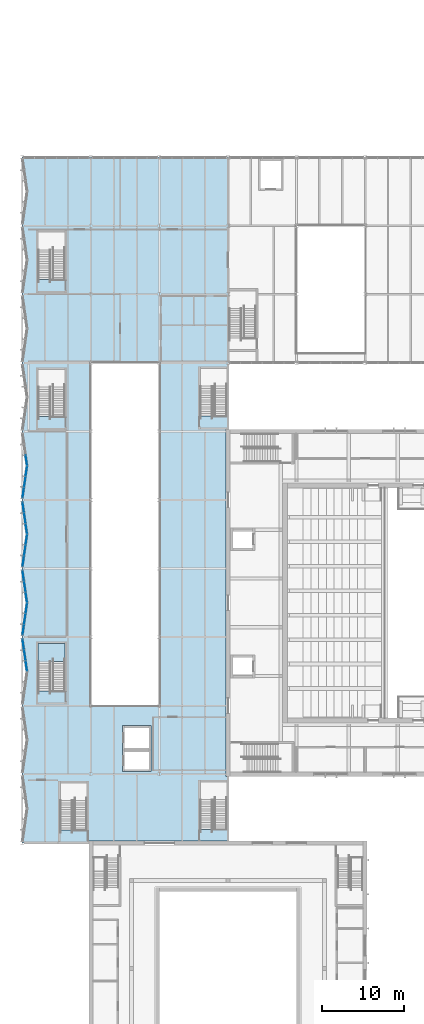
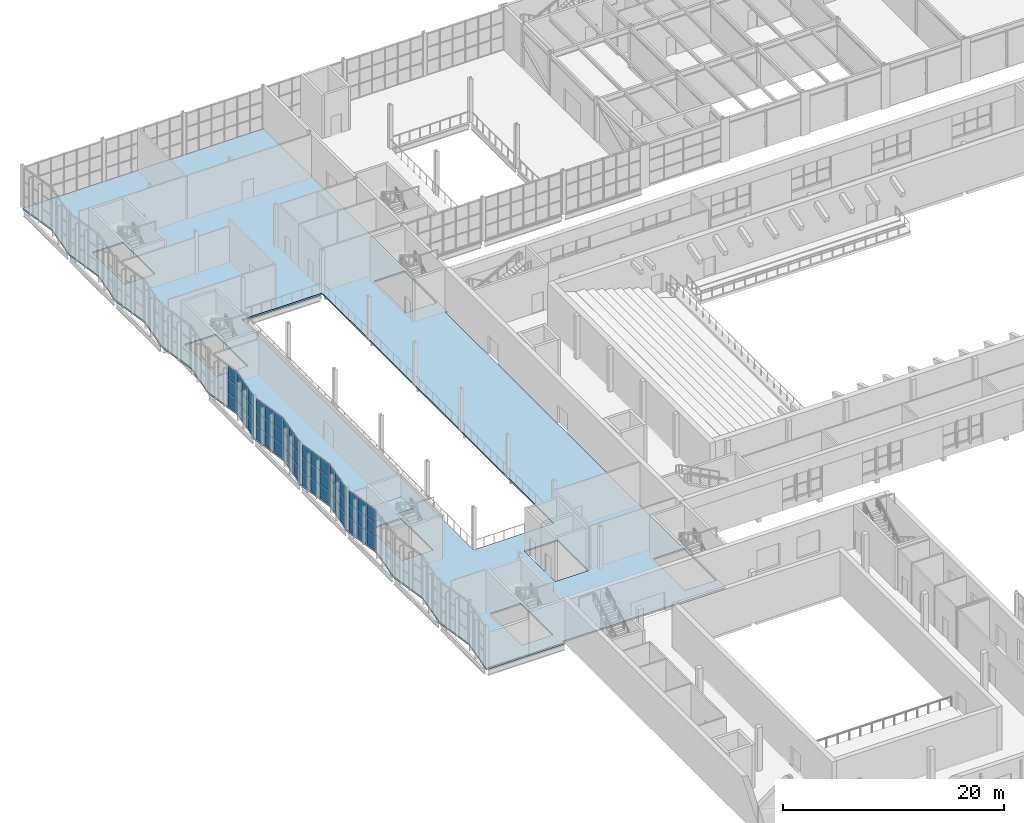
# One storey, part 58 of 127: 57 plates, 2 slabs, 8 elements without a shape of their own.
"""IFC4 building model written with IfcOpenShell, lengths in metres."""

from ifc_helpers import new_model, si_unit, direction, frame, origin, origin_2d, place, context, subcontext, project, spatial, polyline, rectangle, outline, extrude, material, layer, layer_set, type_object, element, aggregate, save


model = new_model("IFC4")

# Units and contexts
model_context = context("Model", 3, precision=1e-05, world=origin(), true_north=direction((0.0, 1.0)))
body_context = subcontext(model_context, "Body", "Model", "MODEL_VIEW")
ifc_project = project(units=[si_unit("LENGTHUNIT", "METRE"), si_unit("AREAUNIT", "SQUARE_METRE"), si_unit("VOLUMEUNIT", "CUBIC_METRE"), si_unit("PLANEANGLEUNIT", "RADIAN"), si_unit("MASSUNIT", "GRAM", prefix="KILO")], contexts=[model_context])

# Site, building, storey
site_placement = place(None, origin())
site = spatial("IfcSite", under=ifc_project, at=site_placement, CompositionType="ELEMENT")
building_placement = place(site_placement, origin())
building = spatial("IfcBuilding", under=site, at=building_placement, Name="Ljudholm Concert House", CompositionType="ELEMENT")
storey_placement = place(building_placement, frame((0.0, 0.0, 5.39990234375)))
storey = spatial("IfcBuildingStorey", under=building, at=storey_placement, Name="L01", CompositionType="ELEMENT", Elevation=5.39990234375)

# Slab
ifc_material_1 = material(Name="Concrete 5,000 psi", Category="concrete")
ifc_layer_1 = layer(ifc_material_1, 0.179931640625)
ifc_layer_set_1 = layer_set([ifc_layer_1], Name="Concrete 5,000 psi")
slab_type_1 = type_object("IfcSlabType", Name="COMPOSITE FLOOR SLAB 180", PredefinedType="FLOOR", material=ifc_layer_set_1)
slab_1_placement = place(storey_placement, frame((0.0, 0.0, -0.179931640625)))
element("IfcSlab", 1, at=slab_1_placement, inside=storey, type_object=slab_type_1, Name="Floor slab", PredefinedType="FLOOR", context=body_context, shape_type="SweptSolid", body=[
    extrude(outline(polyline([(4.60009765625, 50.199951171875), (4.0, 46.0), (12.175048828125, 46.0), (12.175048828125, 46.22509765625), (29.199951171875, 46.22509765625), (29.199951171875, 54.14990234375), (28.949951171875, 54.14990234375), (28.949951171875, 96.64990234375), (29.199951171875, 96.64990234375), (29.199951171875, 130.0), (4.0, 130.0), (4.60009765625, 125.800048828125), (4.0, 121.60009765625), (4.60009765625, 117.39990234375), (4.0, 113.199951171875), (4.60009765625, 109.0), (4.0, 104.800048828125), (4.60009765625, 100.60009765625), (4.0, 96.39990234375), (4.60009765625, 92.199951171875), (4.0, 88.0), (4.60009765625, 83.800048828125), (4.0, 79.60009765625), (4.60009765625, 75.39990234375), (4.0, 71.199951171875), (4.60009765625, 67.0), (4.0, 62.800048828125), (4.60009765625, 58.60009765625), (4.0, 54.39990234375), (4.60009765625, 50.199951171875)]), holes=[polyline([(11.89990234375, 53.35009765625), (11.89990234375, 47.550537109375), (8.64990234375, 47.550537109375), (8.64990234375, 53.35009765625), (11.89990234375, 53.35009765625)]), polyline([(9.199951171875, 70.39990234375), (9.199951171875, 64.6005859375), (5.949951171875, 64.6005859375), (5.949951171875, 70.39990234375), (9.199951171875, 70.39990234375)]), polyline([(9.199951171875, 104.0), (9.199951171875, 98.200439453125), (5.949951171875, 98.200439453125), (5.949951171875, 104.0), (9.199951171875, 104.0)]), polyline([(9.199951171875, 120.800048828125), (9.199951171875, 115.00048828125), (5.949951171875, 115.00048828125), (5.949951171875, 120.800048828125), (9.199951171875, 120.800048828125)]), polyline([(29.050048828125, 53.449951171875), (29.050048828125, 47.650390625), (25.800048828125, 47.650390625), (25.800048828125, 53.449951171875), (29.050048828125, 53.449951171875)]), polyline([(16.27490234375, 54.75), (16.27490234375, 60.35009765625), (19.77490234375, 60.35009765625), (19.77490234375, 54.75), (16.27490234375, 54.75)]), polyline([(20.800048828125, 62.800048828125), (12.39990234375, 62.800048828125), (12.39990234375, 104.800048828125), (20.800048828125, 104.800048828125), (20.800048828125, 62.800048828125)]), polyline([(29.050048828125, 104.10009765625), (29.050048828125, 98.300537109375), (25.800048828125, 98.300537109375), (25.800048828125, 104.10009765625), (29.050048828125, 104.10009765625)])]), origin(), (0.0, 0.0, 1.0), 0.179931640625),
])

# Curtain wall, plates
ifc_material_2 = material(Name="Aluminium curtain wall with impact-rated laminated glass", Category="aluminium")
curtain_wall_type = type_object("IfcCurtainWallType", Name="CURTAIN WALL 1400", PredefinedType="NOTDEFINED", material=ifc_material_2)
curtain_wall_1_placement = place(storey_placement, origin())
curtain_wall_1 = element("IfcCurtainWall", 2, at=curtain_wall_1_placement, inside=storey, type_object=curtain_wall_type, Name="Facade curtain wall", PredefinedType="NOTDEFINED")
ifc_material_3 = material(Name="Impact-rated laminated glass", Category="glass")
ifc_layer_2 = layer(ifc_material_3, 0.028076171875)
ifc_layer_set_2 = layer_set([ifc_layer_2], Name="Impact-rated laminated glass")
plate_type = type_object("IfcPlateType", Name="CURTAIN PANEL 28", PredefinedType="CURTAIN_PANEL", material=ifc_layer_set_2)
plate_1_placement = place(storey_placement, frame((4.503173828125, 67.678466796875, 0.06005859375), z_axis=(0.0, 0.0, 1.0), x_axis=(-0.141421356338, 0.989949493647, 0.0)))
plate_1 = element("IfcPlate", 3, at=plate_1_placement, type_object=plate_type, Name="Curtain wall panel", PredefinedType="CURTAIN_PANEL", context=body_context, shape_type="SweptSolid", body=[
    extrude(rectangle(XDim=1.2509765625, YDim=0.028076171875, at=origin_2d()), origin(), (0.0, 0.0, 1.0), 1.449951171875),
])
plate_2_placement = place(storey_placement, frame((4.503173828125, 67.678466796875, 1.570068359375), z_axis=(0.0, 0.0, 1.0), x_axis=(-0.141421356338, 0.989949493647, 0.0)))
plate_2 = element("IfcPlate", 4, at=plate_2_placement, type_object=plate_type, Name="Curtain wall panel", PredefinedType="CURTAIN_PANEL", context=body_context, shape_type="SweptSolid", body=[
    extrude(rectangle(XDim=1.2509765625, YDim=0.028076171875, at=origin_2d()), origin(), (0.0, 0.0, 1.0), 1.47998046875),
])
plate_3_placement = place(storey_placement, frame((4.503173828125, 67.678466796875, 3.1103515625), z_axis=(0.0, 0.0, 1.0), x_axis=(-0.141421356338, 0.989949493647, 0.0)))
plate_3 = element("IfcPlate", 5, at=plate_3_placement, type_object=plate_type, Name="Curtain wall panel", PredefinedType="CURTAIN_PANEL", context=body_context, shape_type="SweptSolid", body=[
    extrude(rectangle(XDim=1.2509765625, YDim=0.028076171875, at=origin_2d()), origin(), (0.0, 0.0, 1.0), 1.449951171875),
])
plate_4_placement = place(storey_placement, frame((4.315673828125, 68.9912109375, 0.06005859375), z_axis=(0.0, 0.0, 1.0), x_axis=(-0.141421356338, 0.989949493647, 0.0)))
plate_4 = element("IfcPlate", 6, at=plate_4_placement, type_object=plate_type, Name="Curtain wall panel", PredefinedType="CURTAIN_PANEL", context=body_context, shape_type="SweptSolid", body=[
    extrude(rectangle(XDim=1.28076171875, YDim=0.028076171875, at=origin_2d()), origin(), (0.0, 0.0, 1.0), 1.449951171875),
])
plate_5_placement = place(storey_placement, frame((4.315673828125, 68.9912109375, 1.570068359375), z_axis=(0.0, 0.0, 1.0), x_axis=(-0.141421356338, 0.989949493647, 0.0)))
plate_5 = element("IfcPlate", 7, at=plate_5_placement, type_object=plate_type, Name="Curtain wall panel", PredefinedType="CURTAIN_PANEL", context=body_context, shape_type="SweptSolid", body=[
    extrude(rectangle(XDim=1.28076171875, YDim=0.028076171875, at=origin_2d()), origin(), (0.0, 0.0, 1.0), 1.47998046875),
])
plate_6_placement = place(storey_placement, frame((4.315673828125, 68.9912109375, 3.1103515625), z_axis=(0.0, 0.0, 1.0), x_axis=(-0.141421356338, 0.989949493647, 0.0)))
plate_6 = element("IfcPlate", 8, at=plate_6_placement, type_object=plate_type, Name="Curtain wall panel", PredefinedType="CURTAIN_PANEL", context=body_context, shape_type="SweptSolid", body=[
    extrude(rectangle(XDim=1.28076171875, YDim=0.028076171875, at=origin_2d()), origin(), (0.0, 0.0, 1.0), 1.449951171875),
])
plate_7_placement = place(storey_placement, frame((4.1279296875, 70.3037109375, 0.06005859375), z_axis=(0.0, 0.0, 1.0), x_axis=(-0.141421356338, 0.989949493647, 0.0)))
plate_7 = element("IfcPlate", 9, at=plate_7_placement, type_object=plate_type, Name="Curtain wall panel", PredefinedType="CURTAIN_PANEL", context=body_context, shape_type="SweptSolid", body=[
    extrude(rectangle(XDim=1.2509765625, YDim=0.028076171875, at=origin_2d()), origin(), (0.0, 0.0, 1.0), 1.449951171875),
])
plate_8_placement = place(storey_placement, frame((4.1279296875, 70.3037109375, 1.570068359375), z_axis=(0.0, 0.0, 1.0), x_axis=(-0.141421356338, 0.989949493647, 0.0)))
plate_8 = element("IfcPlate", 10, at=plate_8_placement, type_object=plate_type, Name="Curtain wall panel", PredefinedType="CURTAIN_PANEL", context=body_context, shape_type="SweptSolid", body=[
    extrude(rectangle(XDim=1.2509765625, YDim=0.028076171875, at=origin_2d()), origin(), (0.0, 0.0, 1.0), 1.47998046875),
])
plate_9_placement = place(storey_placement, frame((4.1279296875, 70.3037109375, 3.1103515625), z_axis=(0.0, 0.0, 1.0), x_axis=(-0.141421356338, 0.989949493647, 0.0)))
plate_9 = element("IfcPlate", 11, at=plate_9_placement, type_object=plate_type, Name="Curtain wall panel", PredefinedType="CURTAIN_PANEL", context=body_context, shape_type="SweptSolid", body=[
    extrude(rectangle(XDim=1.2509765625, YDim=0.028076171875, at=origin_2d()), origin(), (0.0, 0.0, 1.0), 1.449951171875),
])
aggregate(curtain_wall_1, [plate_1, plate_2, plate_3, plate_4, plate_5, plate_6, plate_7, plate_8, plate_9])

curtain_wall_2_placement = place(storey_placement, origin())
curtain_wall_2 = element("IfcCurtainWall", 12, at=curtain_wall_2_placement, inside=storey, type_object=curtain_wall_type, Name="Facade curtain wall", PredefinedType="NOTDEFINED")
plate_10_placement = place(storey_placement, frame((4.1279296875, 72.096435546875, 0.06005859375), z_axis=(0.0, 0.0, 1.0), x_axis=(0.141421356338, 0.989949493647, 0.0)))
plate_10 = element("IfcPlate", 13, at=plate_10_placement, type_object=plate_type, Name="Curtain wall panel", PredefinedType="CURTAIN_PANEL", context=body_context, shape_type="SweptSolid", body=[
    extrude(rectangle(XDim=1.2509765625, YDim=0.028076171875, at=origin_2d()), origin(), (0.0, 0.0, 1.0), 1.449951171875),
])
plate_11_placement = place(storey_placement, frame((4.1279296875, 72.096435546875, 1.570068359375), z_axis=(0.0, 0.0, 1.0), x_axis=(0.141421356338, 0.989949493647, 0.0)))
plate_11 = element("IfcPlate", 14, at=plate_11_placement, type_object=plate_type, Name="Curtain wall panel", PredefinedType="CURTAIN_PANEL", context=body_context, shape_type="SweptSolid", body=[
    extrude(rectangle(XDim=1.2509765625, YDim=0.028076171875, at=origin_2d()), origin(), (0.0, 0.0, 1.0), 1.47998046875),
])
plate_12_placement = place(storey_placement, frame((4.1279296875, 72.096435546875, 3.1103515625), z_axis=(0.0, 0.0, 1.0), x_axis=(0.141421356338, 0.989949493647, 0.0)))
plate_12 = element("IfcPlate", 15, at=plate_12_placement, type_object=plate_type, Name="Curtain wall panel", PredefinedType="CURTAIN_PANEL", context=body_context, shape_type="SweptSolid", body=[
    extrude(rectangle(XDim=1.2509765625, YDim=0.028076171875, at=origin_2d()), origin(), (0.0, 0.0, 1.0), 1.449951171875),
])
plate_13_placement = place(storey_placement, frame((4.315673828125, 73.408935546875, 0.06005859375), z_axis=(0.0, 0.0, 1.0), x_axis=(0.141421356338, 0.989949493647, 0.0)))
plate_13 = element("IfcPlate", 16, at=plate_13_placement, type_object=plate_type, Name="Curtain wall panel", PredefinedType="CURTAIN_PANEL", context=body_context, shape_type="SweptSolid", body=[
    extrude(rectangle(XDim=1.28076171875, YDim=0.028076171875, at=origin_2d()), origin(), (0.0, 0.0, 1.0), 1.449951171875),
])
plate_14_placement = place(storey_placement, frame((4.315673828125, 73.408935546875, 1.570068359375), z_axis=(0.0, 0.0, 1.0), x_axis=(0.141421356338, 0.989949493647, 0.0)))
plate_14 = element("IfcPlate", 17, at=plate_14_placement, type_object=plate_type, Name="Curtain wall panel", PredefinedType="CURTAIN_PANEL", context=body_context, shape_type="SweptSolid", body=[
    extrude(rectangle(XDim=1.28076171875, YDim=0.028076171875, at=origin_2d()), origin(), (0.0, 0.0, 1.0), 1.47998046875),
])
plate_15_placement = place(storey_placement, frame((4.315673828125, 73.408935546875, 3.1103515625), z_axis=(0.0, 0.0, 1.0), x_axis=(0.141421356338, 0.989949493647, 0.0)))
plate_15 = element("IfcPlate", 18, at=plate_15_placement, type_object=plate_type, Name="Curtain wall panel", PredefinedType="CURTAIN_PANEL", context=body_context, shape_type="SweptSolid", body=[
    extrude(rectangle(XDim=1.28076171875, YDim=0.028076171875, at=origin_2d()), origin(), (0.0, 0.0, 1.0), 1.449951171875),
])
plate_16_placement = place(storey_placement, frame((4.503173828125, 74.721435546875, 0.06005859375), z_axis=(0.0, 0.0, 1.0), x_axis=(0.141421356338, 0.989949493647, 0.0)))
plate_16 = element("IfcPlate", 19, at=plate_16_placement, type_object=plate_type, Name="Curtain wall panel", PredefinedType="CURTAIN_PANEL", context=body_context, shape_type="SweptSolid", body=[
    extrude(rectangle(XDim=1.2509765625, YDim=0.028076171875, at=origin_2d()), origin(), (0.0, 0.0, 1.0), 1.449951171875),
])
plate_17_placement = place(storey_placement, frame((4.503173828125, 74.721435546875, 1.570068359375), z_axis=(0.0, 0.0, 1.0), x_axis=(0.141421356338, 0.989949493647, 0.0)))
plate_17 = element("IfcPlate", 20, at=plate_17_placement, type_object=plate_type, Name="Curtain wall panel", PredefinedType="CURTAIN_PANEL", context=body_context, shape_type="SweptSolid", body=[
    extrude(rectangle(XDim=1.2509765625, YDim=0.028076171875, at=origin_2d()), origin(), (0.0, 0.0, 1.0), 1.47998046875),
])
plate_18_placement = place(storey_placement, frame((4.503173828125, 74.721435546875, 3.1103515625), z_axis=(0.0, 0.0, 1.0), x_axis=(0.141421356338, 0.989949493647, 0.0)))
plate_18 = element("IfcPlate", 21, at=plate_18_placement, type_object=plate_type, Name="Curtain wall panel", PredefinedType="CURTAIN_PANEL", context=body_context, shape_type="SweptSolid", body=[
    extrude(rectangle(XDim=1.2509765625, YDim=0.028076171875, at=origin_2d()), origin(), (0.0, 0.0, 1.0), 1.449951171875),
])
aggregate(curtain_wall_2, [plate_10, plate_11, plate_12, plate_13, plate_14, plate_15, plate_16, plate_17, plate_18])

curtain_wall_3_placement = place(storey_placement, origin())
curtain_wall_3 = element("IfcCurtainWall", 22, at=curtain_wall_3_placement, inside=storey, type_object=curtain_wall_type, Name="Facade curtain wall", PredefinedType="NOTDEFINED")
plate_19_placement = place(storey_placement, frame((4.503173828125, 76.07861328125, 0.06005859375), z_axis=(0.0, 0.0, 1.0), x_axis=(-0.141421356338, 0.989949493647, 0.0)))
plate_19 = element("IfcPlate", 23, at=plate_19_placement, type_object=plate_type, Name="Curtain wall panel", PredefinedType="CURTAIN_PANEL", context=body_context, shape_type="SweptSolid", body=[
    extrude(rectangle(XDim=1.2509765625, YDim=0.028076171875, at=origin_2d()), origin(), (0.0, 0.0, 1.0), 1.449951171875),
])
plate_20_placement = place(storey_placement, frame((4.503173828125, 76.07861328125, 1.570068359375), z_axis=(0.0, 0.0, 1.0), x_axis=(-0.141421356338, 0.989949493647, 0.0)))
plate_20 = element("IfcPlate", 24, at=plate_20_placement, type_object=plate_type, Name="Curtain wall panel", PredefinedType="CURTAIN_PANEL", context=body_context, shape_type="SweptSolid", body=[
    extrude(rectangle(XDim=1.2509765625, YDim=0.028076171875, at=origin_2d()), origin(), (0.0, 0.0, 1.0), 1.47998046875),
])
plate_21_placement = place(storey_placement, frame((4.503173828125, 76.07861328125, 3.1103515625), z_axis=(0.0, 0.0, 1.0), x_axis=(-0.141421356338, 0.989949493647, 0.0)))
plate_21 = element("IfcPlate", 25, at=plate_21_placement, type_object=plate_type, Name="Curtain wall panel", PredefinedType="CURTAIN_PANEL", context=body_context, shape_type="SweptSolid", body=[
    extrude(rectangle(XDim=1.2509765625, YDim=0.028076171875, at=origin_2d()), origin(), (0.0, 0.0, 1.0), 1.449951171875),
])
plate_22_placement = place(storey_placement, frame((4.315673828125, 77.39111328125, 0.06005859375), z_axis=(0.0, 0.0, 1.0), x_axis=(-0.141421356338, 0.989949493647, 0.0)))
plate_22 = element("IfcPlate", 26, at=plate_22_placement, type_object=plate_type, Name="Curtain wall panel", PredefinedType="CURTAIN_PANEL", context=body_context, shape_type="SweptSolid", body=[
    extrude(rectangle(XDim=1.28076171875, YDim=0.028076171875, at=origin_2d()), origin(), (0.0, 0.0, 1.0), 1.449951171875),
])
plate_23_placement = place(storey_placement, frame((4.315673828125, 77.39111328125, 1.570068359375), z_axis=(0.0, 0.0, 1.0), x_axis=(-0.141421356338, 0.989949493647, 0.0)))
plate_23 = element("IfcPlate", 27, at=plate_23_placement, type_object=plate_type, Name="Curtain wall panel", PredefinedType="CURTAIN_PANEL", context=body_context, shape_type="SweptSolid", body=[
    extrude(rectangle(XDim=1.28076171875, YDim=0.028076171875, at=origin_2d()), origin(), (0.0, 0.0, 1.0), 1.47998046875),
])
plate_24_placement = place(storey_placement, frame((4.315673828125, 77.39111328125, 3.1103515625), z_axis=(0.0, 0.0, 1.0), x_axis=(-0.141421356338, 0.989949493647, 0.0)))
plate_24 = element("IfcPlate", 28, at=plate_24_placement, type_object=plate_type, Name="Curtain wall panel", PredefinedType="CURTAIN_PANEL", context=body_context, shape_type="SweptSolid", body=[
    extrude(rectangle(XDim=1.28076171875, YDim=0.028076171875, at=origin_2d()), origin(), (0.0, 0.0, 1.0), 1.449951171875),
])
plate_25_placement = place(storey_placement, frame((4.1279296875, 78.70361328125, 0.06005859375), z_axis=(0.0, 0.0, 1.0), x_axis=(-0.141421356338, 0.989949493647, 0.0)))
plate_25 = element("IfcPlate", 29, at=plate_25_placement, type_object=plate_type, Name="Curtain wall panel", PredefinedType="CURTAIN_PANEL", context=body_context, shape_type="SweptSolid", body=[
    extrude(rectangle(XDim=1.2509765625, YDim=0.028076171875, at=origin_2d()), origin(), (0.0, 0.0, 1.0), 1.449951171875),
])
plate_26_placement = place(storey_placement, frame((4.1279296875, 78.70361328125, 1.570068359375), z_axis=(0.0, 0.0, 1.0), x_axis=(-0.141421356338, 0.989949493647, 0.0)))
plate_26 = element("IfcPlate", 30, at=plate_26_placement, type_object=plate_type, Name="Curtain wall panel", PredefinedType="CURTAIN_PANEL", context=body_context, shape_type="SweptSolid", body=[
    extrude(rectangle(XDim=1.2509765625, YDim=0.028076171875, at=origin_2d()), origin(), (0.0, 0.0, 1.0), 1.47998046875),
])
plate_27_placement = place(storey_placement, frame((4.1279296875, 78.70361328125, 3.1103515625), z_axis=(0.0, 0.0, 1.0), x_axis=(-0.141421356338, 0.989949493647, 0.0)))
plate_27 = element("IfcPlate", 31, at=plate_27_placement, type_object=plate_type, Name="Curtain wall panel", PredefinedType="CURTAIN_PANEL", context=body_context, shape_type="SweptSolid", body=[
    extrude(rectangle(XDim=1.2509765625, YDim=0.028076171875, at=origin_2d()), origin(), (0.0, 0.0, 1.0), 1.449951171875),
])
aggregate(curtain_wall_3, [plate_19, plate_20, plate_21, plate_22, plate_23, plate_24, plate_25, plate_26, plate_27])

curtain_wall_4_placement = place(storey_placement, origin())
curtain_wall_4 = element("IfcCurtainWall", 32, at=curtain_wall_4_placement, inside=storey, type_object=curtain_wall_type, Name="Facade curtain wall", PredefinedType="NOTDEFINED")
plate_28_placement = place(storey_placement, frame((4.1279296875, 80.496337890625, 0.06005859375), z_axis=(0.0, 0.0, 1.0), x_axis=(0.141421356338, 0.989949493647, 0.0)))
plate_28 = element("IfcPlate", 33, at=plate_28_placement, type_object=plate_type, Name="Curtain wall panel", PredefinedType="CURTAIN_PANEL", context=body_context, shape_type="SweptSolid", body=[
    extrude(rectangle(XDim=1.2509765625, YDim=0.028076171875, at=origin_2d()), origin(), (0.0, 0.0, 1.0), 1.449951171875),
])
plate_29_placement = place(storey_placement, frame((4.1279296875, 80.496337890625, 1.570068359375), z_axis=(0.0, 0.0, 1.0), x_axis=(0.141421356338, 0.989949493647, 0.0)))
plate_29 = element("IfcPlate", 34, at=plate_29_placement, type_object=plate_type, Name="Curtain wall panel", PredefinedType="CURTAIN_PANEL", context=body_context, shape_type="SweptSolid", body=[
    extrude(rectangle(XDim=1.2509765625, YDim=0.028076171875, at=origin_2d()), origin(), (0.0, 0.0, 1.0), 1.47998046875),
])
plate_30_placement = place(storey_placement, frame((4.1279296875, 80.496337890625, 3.1103515625), z_axis=(0.0, 0.0, 1.0), x_axis=(0.141421356338, 0.989949493647, 0.0)))
plate_30 = element("IfcPlate", 35, at=plate_30_placement, type_object=plate_type, Name="Curtain wall panel", PredefinedType="CURTAIN_PANEL", context=body_context, shape_type="SweptSolid", body=[
    extrude(rectangle(XDim=1.2509765625, YDim=0.028076171875, at=origin_2d()), origin(), (0.0, 0.0, 1.0), 1.449951171875),
])
plate_31_placement = place(storey_placement, frame((4.315673828125, 81.808837890625, 0.06005859375), z_axis=(0.0, 0.0, 1.0), x_axis=(0.141421356338, 0.989949493647, 0.0)))
plate_31 = element("IfcPlate", 36, at=plate_31_placement, type_object=plate_type, Name="Curtain wall panel", PredefinedType="CURTAIN_PANEL", context=body_context, shape_type="SweptSolid", body=[
    extrude(rectangle(XDim=1.28076171875, YDim=0.028076171875, at=origin_2d()), origin(), (0.0, 0.0, 1.0), 1.449951171875),
])
plate_32_placement = place(storey_placement, frame((4.315673828125, 81.808837890625, 1.570068359375), z_axis=(0.0, 0.0, 1.0), x_axis=(0.141421356338, 0.989949493647, 0.0)))
plate_32 = element("IfcPlate", 37, at=plate_32_placement, type_object=plate_type, Name="Curtain wall panel", PredefinedType="CURTAIN_PANEL", context=body_context, shape_type="SweptSolid", body=[
    extrude(rectangle(XDim=1.28076171875, YDim=0.028076171875, at=origin_2d()), origin(), (0.0, 0.0, 1.0), 1.47998046875),
])
plate_33_placement = place(storey_placement, frame((4.315673828125, 81.808837890625, 3.1103515625), z_axis=(0.0, 0.0, 1.0), x_axis=(0.141421356338, 0.989949493647, 0.0)))
plate_33 = element("IfcPlate", 38, at=plate_33_placement, type_object=plate_type, Name="Curtain wall panel", PredefinedType="CURTAIN_PANEL", context=body_context, shape_type="SweptSolid", body=[
    extrude(rectangle(XDim=1.28076171875, YDim=0.028076171875, at=origin_2d()), origin(), (0.0, 0.0, 1.0), 1.449951171875),
])
plate_34_placement = place(storey_placement, frame((4.503173828125, 83.121337890625, 0.06005859375), z_axis=(0.0, 0.0, 1.0), x_axis=(0.141421356338, 0.989949493647, 0.0)))
plate_34 = element("IfcPlate", 39, at=plate_34_placement, type_object=plate_type, Name="Curtain wall panel", PredefinedType="CURTAIN_PANEL", context=body_context, shape_type="SweptSolid", body=[
    extrude(rectangle(XDim=1.2509765625, YDim=0.028076171875, at=origin_2d()), origin(), (0.0, 0.0, 1.0), 1.449951171875),
])
plate_35_placement = place(storey_placement, frame((4.503173828125, 83.121337890625, 1.570068359375), z_axis=(0.0, 0.0, 1.0), x_axis=(0.141421356338, 0.989949493647, 0.0)))
plate_35 = element("IfcPlate", 40, at=plate_35_placement, type_object=plate_type, Name="Curtain wall panel", PredefinedType="CURTAIN_PANEL", context=body_context, shape_type="SweptSolid", body=[
    extrude(rectangle(XDim=1.2509765625, YDim=0.028076171875, at=origin_2d()), origin(), (0.0, 0.0, 1.0), 1.47998046875),
])
plate_36_placement = place(storey_placement, frame((4.503173828125, 83.121337890625, 3.1103515625), z_axis=(0.0, 0.0, 1.0), x_axis=(0.141421356338, 0.989949493647, 0.0)))
plate_36 = element("IfcPlate", 41, at=plate_36_placement, type_object=plate_type, Name="Curtain wall panel", PredefinedType="CURTAIN_PANEL", context=body_context, shape_type="SweptSolid", body=[
    extrude(rectangle(XDim=1.2509765625, YDim=0.028076171875, at=origin_2d()), origin(), (0.0, 0.0, 1.0), 1.449951171875),
])
aggregate(curtain_wall_4, [plate_28, plate_29, plate_30, plate_31, plate_32, plate_33, plate_34, plate_35, plate_36])

curtain_wall_5_placement = place(storey_placement, origin())
curtain_wall_5 = element("IfcCurtainWall", 42, at=curtain_wall_5_placement, inside=storey, type_object=curtain_wall_type, Name="Facade curtain wall", PredefinedType="NOTDEFINED")
plate_37_placement = place(storey_placement, frame((4.503173828125, 84.478515625, 0.06005859375), z_axis=(0.0, 0.0, 1.0), x_axis=(-0.141421356338, 0.989949493647, 0.0)))
plate_37 = element("IfcPlate", 43, at=plate_37_placement, type_object=plate_type, Name="Curtain wall panel", PredefinedType="CURTAIN_PANEL", context=body_context, shape_type="SweptSolid", body=[
    extrude(rectangle(XDim=1.2509765625, YDim=0.028076171875, at=origin_2d()), origin(), (0.0, 0.0, 1.0), 1.449951171875),
])
plate_38_placement = place(storey_placement, frame((4.503173828125, 84.478515625, 1.570068359375), z_axis=(0.0, 0.0, 1.0), x_axis=(-0.141421356338, 0.989949493647, 0.0)))
plate_38 = element("IfcPlate", 44, at=plate_38_placement, type_object=plate_type, Name="Curtain wall panel", PredefinedType="CURTAIN_PANEL", context=body_context, shape_type="SweptSolid", body=[
    extrude(rectangle(XDim=1.2509765625, YDim=0.028076171875, at=origin_2d()), origin(), (0.0, 0.0, 1.0), 1.47998046875),
])
plate_39_placement = place(storey_placement, frame((4.503173828125, 84.478515625, 3.1103515625), z_axis=(0.0, 0.0, 1.0), x_axis=(-0.141421356338, 0.989949493647, 0.0)))
plate_39 = element("IfcPlate", 45, at=plate_39_placement, type_object=plate_type, Name="Curtain wall panel", PredefinedType="CURTAIN_PANEL", context=body_context, shape_type="SweptSolid", body=[
    extrude(rectangle(XDim=1.2509765625, YDim=0.028076171875, at=origin_2d()), origin(), (0.0, 0.0, 1.0), 1.449951171875),
])
plate_40_placement = place(storey_placement, frame((4.315673828125, 85.791015625, 0.06005859375), z_axis=(0.0, 0.0, 1.0), x_axis=(-0.141421356338, 0.989949493647, 0.0)))
plate_40 = element("IfcPlate", 46, at=plate_40_placement, type_object=plate_type, Name="Curtain wall panel", PredefinedType="CURTAIN_PANEL", context=body_context, shape_type="SweptSolid", body=[
    extrude(rectangle(XDim=1.28076171875, YDim=0.028076171875, at=origin_2d()), origin(), (0.0, 0.0, 1.0), 1.449951171875),
])
plate_41_placement = place(storey_placement, frame((4.315673828125, 85.791015625, 1.570068359375), z_axis=(0.0, 0.0, 1.0), x_axis=(-0.141421356338, 0.989949493647, 0.0)))
plate_41 = element("IfcPlate", 47, at=plate_41_placement, type_object=plate_type, Name="Curtain wall panel", PredefinedType="CURTAIN_PANEL", context=body_context, shape_type="SweptSolid", body=[
    extrude(rectangle(XDim=1.28076171875, YDim=0.028076171875, at=origin_2d()), origin(), (0.0, 0.0, 1.0), 1.47998046875),
])
plate_42_placement = place(storey_placement, frame((4.315673828125, 85.791015625, 3.1103515625), z_axis=(0.0, 0.0, 1.0), x_axis=(-0.141421356338, 0.989949493647, 0.0)))
plate_42 = element("IfcPlate", 48, at=plate_42_placement, type_object=plate_type, Name="Curtain wall panel", PredefinedType="CURTAIN_PANEL", context=body_context, shape_type="SweptSolid", body=[
    extrude(rectangle(XDim=1.28076171875, YDim=0.028076171875, at=origin_2d()), origin(), (0.0, 0.0, 1.0), 1.449951171875),
])
plate_43_placement = place(storey_placement, frame((4.1279296875, 87.103759765625, 0.06005859375), z_axis=(0.0, 0.0, 1.0), x_axis=(-0.141421356338, 0.989949493647, 0.0)))
plate_43 = element("IfcPlate", 49, at=plate_43_placement, type_object=plate_type, Name="Curtain wall panel", PredefinedType="CURTAIN_PANEL", context=body_context, shape_type="SweptSolid", body=[
    extrude(rectangle(XDim=1.2509765625, YDim=0.028076171875, at=origin_2d()), origin(), (0.0, 0.0, 1.0), 1.449951171875),
])
plate_44_placement = place(storey_placement, frame((4.1279296875, 87.103759765625, 1.570068359375), z_axis=(0.0, 0.0, 1.0), x_axis=(-0.141421356338, 0.989949493647, 0.0)))
plate_44 = element("IfcPlate", 50, at=plate_44_placement, type_object=plate_type, Name="Curtain wall panel", PredefinedType="CURTAIN_PANEL", context=body_context, shape_type="SweptSolid", body=[
    extrude(rectangle(XDim=1.2509765625, YDim=0.028076171875, at=origin_2d()), origin(), (0.0, 0.0, 1.0), 1.47998046875),
])
plate_45_placement = place(storey_placement, frame((4.1279296875, 87.103759765625, 3.1103515625), z_axis=(0.0, 0.0, 1.0), x_axis=(-0.141421356338, 0.989949493647, 0.0)))
plate_45 = element("IfcPlate", 51, at=plate_45_placement, type_object=plate_type, Name="Curtain wall panel", PredefinedType="CURTAIN_PANEL", context=body_context, shape_type="SweptSolid", body=[
    extrude(rectangle(XDim=1.2509765625, YDim=0.028076171875, at=origin_2d()), origin(), (0.0, 0.0, 1.0), 1.449951171875),
])
aggregate(curtain_wall_5, [plate_37, plate_38, plate_39, plate_40, plate_41, plate_42, plate_43, plate_44, plate_45])

curtain_wall_6_placement = place(storey_placement, origin())
curtain_wall_6 = element("IfcCurtainWall", 52, at=curtain_wall_6_placement, inside=storey, type_object=curtain_wall_type, Name="Facade curtain wall", PredefinedType="NOTDEFINED")
plate_46_placement = place(storey_placement, frame((4.1279296875, 88.896240234375, 0.06005859375), z_axis=(0.0, 0.0, 1.0), x_axis=(0.141421356338, 0.989949493647, 0.0)))
plate_46 = element("IfcPlate", 53, at=plate_46_placement, type_object=plate_type, Name="Curtain wall panel", PredefinedType="CURTAIN_PANEL", context=body_context, shape_type="SweptSolid", body=[
    extrude(rectangle(XDim=1.2509765625, YDim=0.028076171875, at=origin_2d()), origin(), (0.0, 0.0, 1.0), 1.449951171875),
])
plate_47_placement = place(storey_placement, frame((4.1279296875, 88.896240234375, 1.570068359375), z_axis=(0.0, 0.0, 1.0), x_axis=(0.141421356338, 0.989949493647, 0.0)))
plate_47 = element("IfcPlate", 54, at=plate_47_placement, type_object=plate_type, Name="Curtain wall panel", PredefinedType="CURTAIN_PANEL", context=body_context, shape_type="SweptSolid", body=[
    extrude(rectangle(XDim=1.2509765625, YDim=0.028076171875, at=origin_2d()), origin(), (0.0, 0.0, 1.0), 1.47998046875),
])
plate_48_placement = place(storey_placement, frame((4.1279296875, 88.896240234375, 3.1103515625), z_axis=(0.0, 0.0, 1.0), x_axis=(0.141421356338, 0.989949493647, 0.0)))
plate_48 = element("IfcPlate", 55, at=plate_48_placement, type_object=plate_type, Name="Curtain wall panel", PredefinedType="CURTAIN_PANEL", context=body_context, shape_type="SweptSolid", body=[
    extrude(rectangle(XDim=1.2509765625, YDim=0.028076171875, at=origin_2d()), origin(), (0.0, 0.0, 1.0), 1.449951171875),
])
plate_49_placement = place(storey_placement, frame((4.315673828125, 90.208984375, 0.06005859375), z_axis=(0.0, 0.0, 1.0), x_axis=(0.141421356338, 0.989949493647, 0.0)))
plate_49 = element("IfcPlate", 56, at=plate_49_placement, type_object=plate_type, Name="Curtain wall panel", PredefinedType="CURTAIN_PANEL", context=body_context, shape_type="SweptSolid", body=[
    extrude(rectangle(XDim=1.28076171875, YDim=0.028076171875, at=origin_2d()), origin(), (0.0, 0.0, 1.0), 1.449951171875),
])
plate_50_placement = place(storey_placement, frame((4.315673828125, 90.208984375, 1.570068359375), z_axis=(0.0, 0.0, 1.0), x_axis=(0.141421356338, 0.989949493647, 0.0)))
plate_50 = element("IfcPlate", 57, at=plate_50_placement, type_object=plate_type, Name="Curtain wall panel", PredefinedType="CURTAIN_PANEL", context=body_context, shape_type="SweptSolid", body=[
    extrude(rectangle(XDim=1.28076171875, YDim=0.028076171875, at=origin_2d()), origin(), (0.0, 0.0, 1.0), 1.47998046875),
])
plate_51_placement = place(storey_placement, frame((4.315673828125, 90.208984375, 3.1103515625), z_axis=(0.0, 0.0, 1.0), x_axis=(0.141421356338, 0.989949493647, 0.0)))
plate_51 = element("IfcPlate", 58, at=plate_51_placement, type_object=plate_type, Name="Curtain wall panel", PredefinedType="CURTAIN_PANEL", context=body_context, shape_type="SweptSolid", body=[
    extrude(rectangle(XDim=1.28076171875, YDim=0.028076171875, at=origin_2d()), origin(), (0.0, 0.0, 1.0), 1.449951171875),
])
plate_52_placement = place(storey_placement, frame((4.503173828125, 91.521484375, 0.06005859375), z_axis=(0.0, 0.0, 1.0), x_axis=(0.141421356338, 0.989949493647, 0.0)))
plate_52 = element("IfcPlate", 59, at=plate_52_placement, type_object=plate_type, Name="Curtain wall panel", PredefinedType="CURTAIN_PANEL", context=body_context, shape_type="SweptSolid", body=[
    extrude(rectangle(XDim=1.2509765625, YDim=0.028076171875, at=origin_2d()), origin(), (0.0, 0.0, 1.0), 1.449951171875),
])
plate_53_placement = place(storey_placement, frame((4.503173828125, 91.521484375, 1.570068359375), z_axis=(0.0, 0.0, 1.0), x_axis=(0.141421356338, 0.989949493647, 0.0)))
plate_53 = element("IfcPlate", 60, at=plate_53_placement, type_object=plate_type, Name="Curtain wall panel", PredefinedType="CURTAIN_PANEL", context=body_context, shape_type="SweptSolid", body=[
    extrude(rectangle(XDim=1.2509765625, YDim=0.028076171875, at=origin_2d()), origin(), (0.0, 0.0, 1.0), 1.47998046875),
])
plate_54_placement = place(storey_placement, frame((4.503173828125, 91.521484375, 3.1103515625), z_axis=(0.0, 0.0, 1.0), x_axis=(0.141421356338, 0.989949493647, 0.0)))
plate_54 = element("IfcPlate", 61, at=plate_54_placement, type_object=plate_type, Name="Curtain wall panel", PredefinedType="CURTAIN_PANEL", context=body_context, shape_type="SweptSolid", body=[
    extrude(rectangle(XDim=1.2509765625, YDim=0.028076171875, at=origin_2d()), origin(), (0.0, 0.0, 1.0), 1.449951171875),
])
aggregate(curtain_wall_6, [plate_46, plate_47, plate_48, plate_49, plate_50, plate_51, plate_52, plate_53, plate_54])

curtain_wall_7_placement = place(storey_placement, origin())
curtain_wall_7 = element("IfcCurtainWall", 62, at=curtain_wall_7_placement, inside=storey, type_object=curtain_wall_type, Name="Facade curtain wall", PredefinedType="NOTDEFINED")
plate_55_placement = place(storey_placement, frame((4.503173828125, 92.878662109375, 0.06005859375), z_axis=(0.0, 0.0, 1.0), x_axis=(-0.141421356338, 0.989949493647, 0.0)))
plate_55 = element("IfcPlate", 63, at=plate_55_placement, type_object=plate_type, Name="Curtain wall panel", PredefinedType="CURTAIN_PANEL", context=body_context, shape_type="SweptSolid", body=[
    extrude(rectangle(XDim=1.2509765625, YDim=0.028076171875, at=origin_2d()), origin(), (0.0, 0.0, 1.0), 1.449951171875),
])
plate_56_placement = place(storey_placement, frame((4.503173828125, 92.878662109375, 1.570068359375), z_axis=(0.0, 0.0, 1.0), x_axis=(-0.141421356338, 0.989949493647, 0.0)))
plate_56 = element("IfcPlate", 64, at=plate_56_placement, type_object=plate_type, Name="Curtain wall panel", PredefinedType="CURTAIN_PANEL", context=body_context, shape_type="SweptSolid", body=[
    extrude(rectangle(XDim=1.2509765625, YDim=0.028076171875, at=origin_2d()), origin(), (0.0, 0.0, 1.0), 1.47998046875),
])
plate_57_placement = place(storey_placement, frame((4.503173828125, 92.878662109375, 3.1103515625), z_axis=(0.0, 0.0, 1.0), x_axis=(-0.141421356338, 0.989949493647, 0.0)))
plate_57 = element("IfcPlate", 65, at=plate_57_placement, type_object=plate_type, Name="Curtain wall panel", PredefinedType="CURTAIN_PANEL", context=body_context, shape_type="SweptSolid", body=[
    extrude(rectangle(XDim=1.2509765625, YDim=0.028076171875, at=origin_2d()), origin(), (0.0, 0.0, 1.0), 1.449951171875),
])
aggregate(curtain_wall_7, [plate_55, plate_56, plate_57])

# Stair, slab
ifc_material_4 = material(Name="Concrete 5,000 psi", Category="concrete")
stair_type = type_object("IfcStairType", Name="RC STAIR 1500x171x280", PredefinedType="HALF_TURN_STAIR", material=ifc_material_4)
stair_placement = place(storey_placement, origin())
stair = element("IfcStair", 66, at=stair_placement, inside=storey, type_object=stair_type, Name="Stair", PredefinedType="HALF_TURN_STAIR")
ifc_material_5 = material(Name="Concrete 5,000 psi", Category="concrete")
ifc_layer_3 = layer(ifc_material_5, 0.409912109375)
ifc_layer_set_3 = layer_set([ifc_layer_3], Name="Concrete 5,000 psi")
slab_type_2 = type_object("IfcSlabType", Name="RC LANDING 410", PredefinedType="LANDING", material=ifc_layer_set_3)
slab_2_placement = place(storey_placement, frame((0.0, 0.0, 1.989990234375)))
slab_2 = element("IfcSlab", 67, at=slab_2_placement, type_object=slab_type_2, Name="Stair landing", PredefinedType="LANDING", context=body_context, shape_type="SweptSolid", body=[
    extrude(outline(polyline([(5.949951171875, 66.634033203125), (7.449951171875, 66.634033203125), (7.449951171875, 68.239501953125), (9.199951171875, 68.239501953125), (9.199951171875, 70.39990234375), (5.949951171875, 70.39990234375), (5.949951171875, 66.634033203125)])), origin(), (0.0, 0.0, 1.0), 0.41015625),
])
aggregate(stair, [slab_2])

save(model, "model.ifc")
